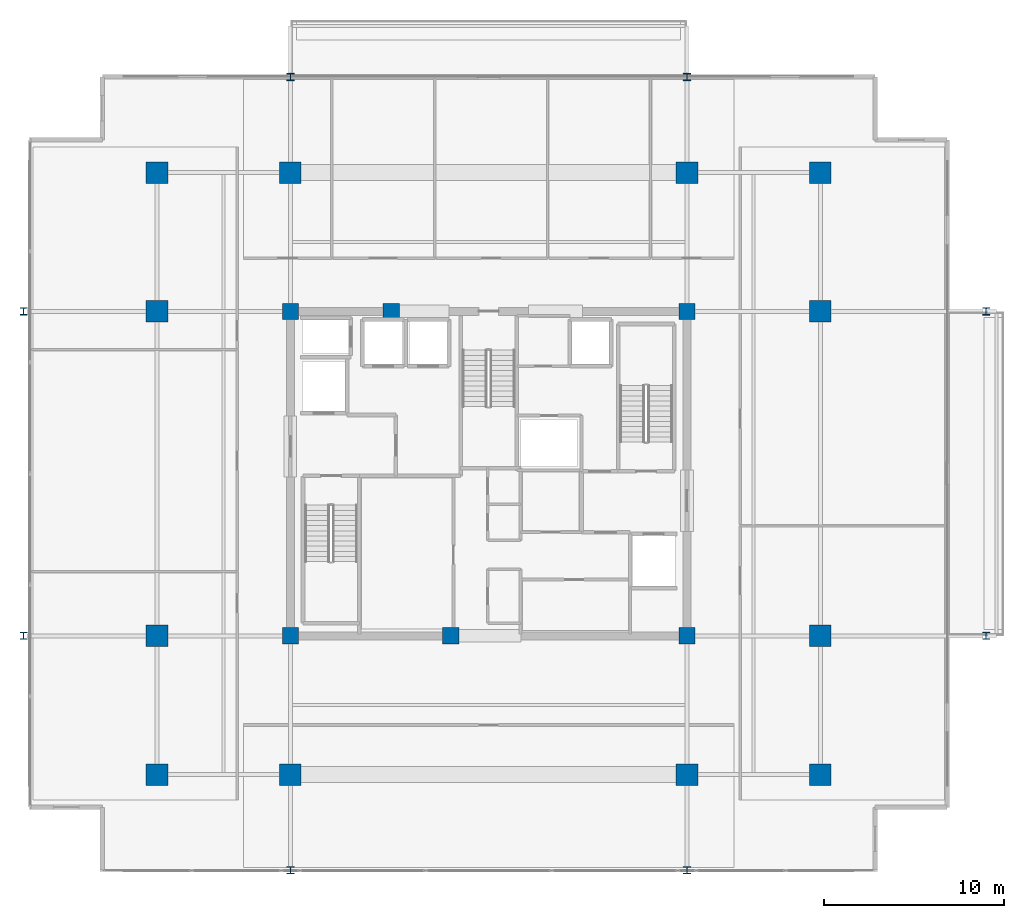
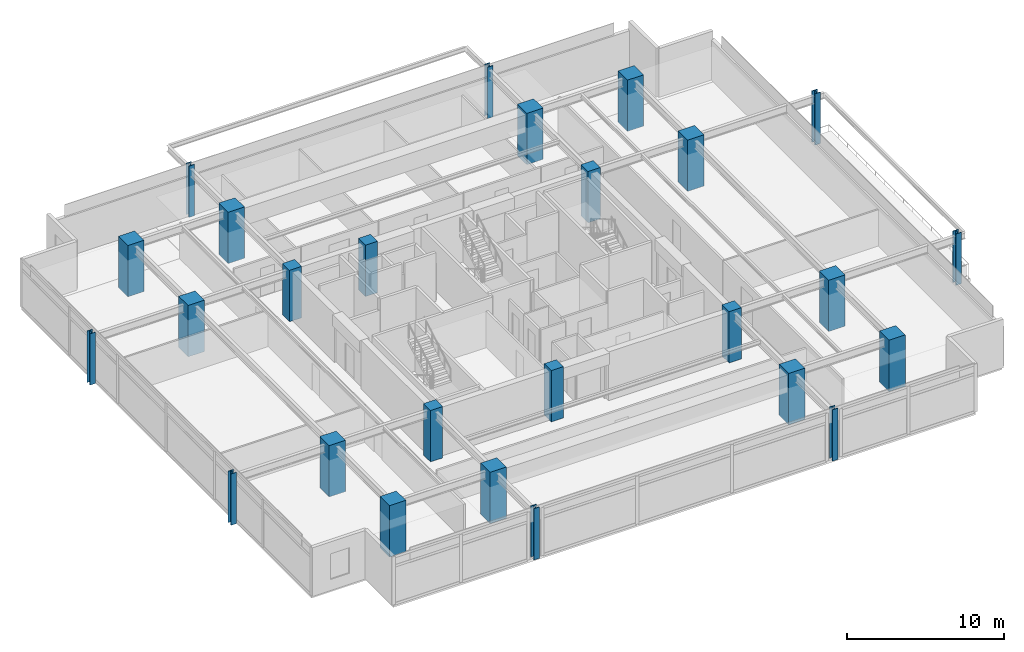
# One storey, part 1 of 20: 26 columns.
"""IFC4 building model written with IfcOpenShell, lengths in metres."""

from ifc_helpers import new_model, si_unit, direction, frame, origin, origin_2d, place, context, subcontext, project, spatial, rectangle, i_section, extrude, material, material_profile, profile_set, type_object, element, save


model = new_model("IFC4")

# Units and contexts
model_context = context("Model", 3, precision=1e-05, world=origin(), true_north=direction((0.0, 1.0)))
body_context = subcontext(model_context, "Body", "Model", "MODEL_VIEW")
ifc_project = project(units=[si_unit("LENGTHUNIT", "METRE"), si_unit("AREAUNIT", "SQUARE_METRE"), si_unit("VOLUMEUNIT", "CUBIC_METRE"), si_unit("PLANEANGLEUNIT", "RADIAN"), si_unit("MASSUNIT", "GRAM", prefix="KILO")], contexts=[model_context])

# Site, building, storey
site_placement = place(None, origin())
site = spatial("IfcSite", under=ifc_project, at=site_placement, CompositionType="ELEMENT")
building_placement = place(site_placement, origin())
building = spatial("IfcBuilding", under=site, at=building_placement, Name="Kovane Verandah Tower", CompositionType="ELEMENT")
storey_placement = place(building_placement, frame((0.0, 0.0, 287.199951171875)))
storey = spatial("IfcBuildingStorey", under=building, at=storey_placement, Name="L67", CompositionType="ELEMENT", Elevation=287.199951171875)

# Columns
ifc_material_1 = material(Name="Concrete C60/75", Category="concrete")
ifc_material_profile_1 = material_profile(ifc_material_1, rectangle(XDim=1.199951171875, YDim=1.199951171875, at=origin_2d()), Name="RC1200x1200")
ifc_profile_set_1 = profile_set([ifc_material_profile_1], Name="Concrete C60/75")
column_type_1 = type_object("IfcColumnType", Name="COL-RC1200", PredefinedType="COLUMN", material=ifc_profile_set_1)
for number, where, z_axis, x_axis, name in (
    (1, (29.0, 10.800048828125, 0.0), (0.0, 0.0, 1.0), (1.0, 0.0, 0.0), "L67 Tower Mega-Column MC-S1"),
    (2, (51.0, 10.800048828125, 0.0), (0.0, 0.0, 1.0), (1.0, 0.0, 0.0), "L67 Tower Mega-Column MC-S2"),
    (3, (29.0, 44.199951171875, 0.0), (0.0, 0.0, 1.0), (1.0, 0.0, 0.0), "L67 Tower Mega-Column MC-N1"),
    (4, (51.0, 44.199951171875, 0.0), (0.0, 0.0, 1.0), (1.0, 0.0, 0.0), "L67 Tower Mega-Column MC-N2"),
    (5, (21.60009765625, 18.5, 0.0), (0.0, 0.0, 1.0), (1.0, 0.0, 0.0), "L67 Tower Mega-Column MC-W1"),
    (6, (21.60009765625, 36.5, 0.0), (0.0, 0.0, 1.0), (1.0, 0.0, 0.0), "L67 Tower Mega-Column MC-W2"),
    (7, (58.39990234375, 18.5, 0.0), (0.0, 0.0, 1.0), (1.0, 0.0, 0.0), "L67 Tower Mega-Column MC-E1"),
    (8, (58.39990234375, 36.5, 0.0), (0.0, 0.0, 1.0), (1.0, 0.0, 0.0), "L67 Tower Mega-Column MC-E2"),
    (9, (21.60009765625, 10.800048828125, 0.0), (0.0, 0.0, 1.0), (1.0, 0.0, 0.0), "L67 Tower Mega-Column MC-SW"),
    (10, (58.39990234375, 10.800048828125, 0.0), (0.0, 0.0, 1.0), (1.0, 0.0, 0.0), "L67 Tower Mega-Column MC-SE"),
    (11, (21.60009765625, 44.199951171875, 0.0), (0.0, 0.0, 1.0), (1.0, 0.0, 0.0), "L67 Tower Mega-Column MC-NW"),
    (12, (58.39990234375, 44.199951171875, 0.0), (0.0, 0.0, 1.0), (1.0, 0.0, 0.0), "L67 Tower Mega-Column MC-NE"),
):
    element("IfcColumn", number, at=place(storey_placement, frame(where, z_axis=z_axis, x_axis=x_axis)), inside=storey, type_object=column_type_1, Name=name, PredefinedType="COLUMN", context=body_context, shape_type="SweptSolid", body=[
        extrude(rectangle(XDim=1.199951171875, YDim=1.199951171875, at=origin_2d()), origin(), (0.0, 0.0, 1.0), 4.0),
    ])
ifc_material_2 = material(Name="Steel S460", Category="steel")
ifc_material_profile_2 = material_profile(ifc_material_2, i_section(OverallWidth=0.403076171875, OverallDepth=0.406494140625, WebThickness=0.026611328125, FlangeThickness=0.04296875, FilletRadius=0.01513671875, at=origin_2d()), Name="UC356x406x340")
ifc_profile_set_2 = profile_set([ifc_material_profile_2], Name="Steel S460")
column_type_2 = type_object("IfcColumnType", Name="COL-UC340", PredefinedType="COLUMN", material=ifc_profile_set_2)
for number, where, z_axis, x_axis, name in (
    (13, (14.199951171875, 18.5, 0.0), (0.0, 0.0, 1.0), (1.0, 0.0, 0.0), "L67 Verandah Perimeter Column VC-W1"),
    (14, (14.199951171875, 36.5, 0.0), (0.0, 0.0, 1.0), (1.0, 0.0, 0.0), "L67 Verandah Perimeter Column VC-W2"),
    (15, (67.60009765625, 18.5, 0.0), (0.0, 0.0, 1.0), (1.0, 0.0, 0.0), "L67 Verandah Perimeter Column VC-E1"),
    (16, (67.60009765625, 36.5, 0.0), (0.0, 0.0, 1.0), (1.0, 0.0, 0.0), "L67 Verandah Perimeter Column VC-E2"),
    (17, (29.0, 5.5, 0.0), (0.0, 0.0, 1.0), (1.0, 0.0, 0.0), "L67 Verandah Perimeter Column VC-S1"),
    (18, (51.0, 5.5, 0.0), (0.0, 0.0, 1.0), (1.0, 0.0, 0.0), "L67 Verandah Perimeter Column VC-S2"),
    (19, (29.0, 49.5, 0.0), (0.0, 0.0, 1.0), (1.0, 0.0, 0.0), "L67 Verandah Perimeter Column VC-N1"),
    (20, (51.0, 49.5, 0.0), (0.0, 0.0, 1.0), (1.0, 0.0, 0.0), "L67 Verandah Perimeter Column VC-N2"),
):
    element("IfcColumn", number, at=place(storey_placement, frame(where, z_axis=z_axis, x_axis=x_axis)), inside=storey, type_object=column_type_2, Name=name, PredefinedType="COLUMN", context=body_context, shape_type="SweptSolid", body=[
        extrude(i_section(OverallWidth=0.403076171875, OverallDepth=0.406494140625, WebThickness=0.026611328125, FlangeThickness=0.04296875, FilletRadius=0.01513671875, at=origin_2d()), origin(), (0.0, 0.0, 1.0), 4.0),
    ])
ifc_material_profile_3 = material_profile(ifc_material_1, rectangle(XDim=0.89990234375, YDim=0.89990234375, at=origin_2d()), Name="RC900x900")
ifc_profile_set_3 = profile_set([ifc_material_profile_3], Name="Concrete C60/75")
column_type_3 = type_object("IfcColumnType", Name="PIL-RC900", PredefinedType="PILASTER", material=ifc_profile_set_3)
for number, where, z_axis, x_axis, name in (
    (21, (29.0, 18.5, 0.0), (0.0, 0.0, 1.0), (1.0, 0.0, 0.0), "L67 Core Pilaster CP-SW"),
    (22, (51.0, 18.5, 0.0), (0.0, 0.0, 1.0), (1.0, 0.0, 0.0), "L67 Core Pilaster CP-SE"),
    (23, (29.0, 36.5, 0.0), (0.0, 0.0, 1.0), (1.0, 0.0, 0.0), "L67 Core Pilaster CP-NW"),
    (24, (51.0, 36.5, 0.0), (0.0, 0.0, 1.0), (1.0, 0.0, 0.0), "L67 Core Pilaster CP-NE"),
    (25, (37.89990234375, 18.5, 0.0), (0.0, 0.0, 1.0), (1.0, 0.0, 0.0), "L67 Core Pilaster CP-S"),
    (26, (34.60009765625, 36.5, 0.0), (0.0, 0.0, 1.0), (1.0, 0.0, 0.0), "L67 Core Pilaster CP-N"),
):
    element("IfcColumn", number, at=place(storey_placement, frame(where, z_axis=z_axis, x_axis=x_axis)), inside=storey, type_object=column_type_3, Name=name, PredefinedType="PILASTER", context=body_context, shape_type="SweptSolid", body=[
        extrude(rectangle(XDim=0.89990234375, YDim=0.89990234375, at=origin_2d()), origin(), (0.0, 0.0, 1.0), 4.0),
    ])

save(model, "model.ifc")
